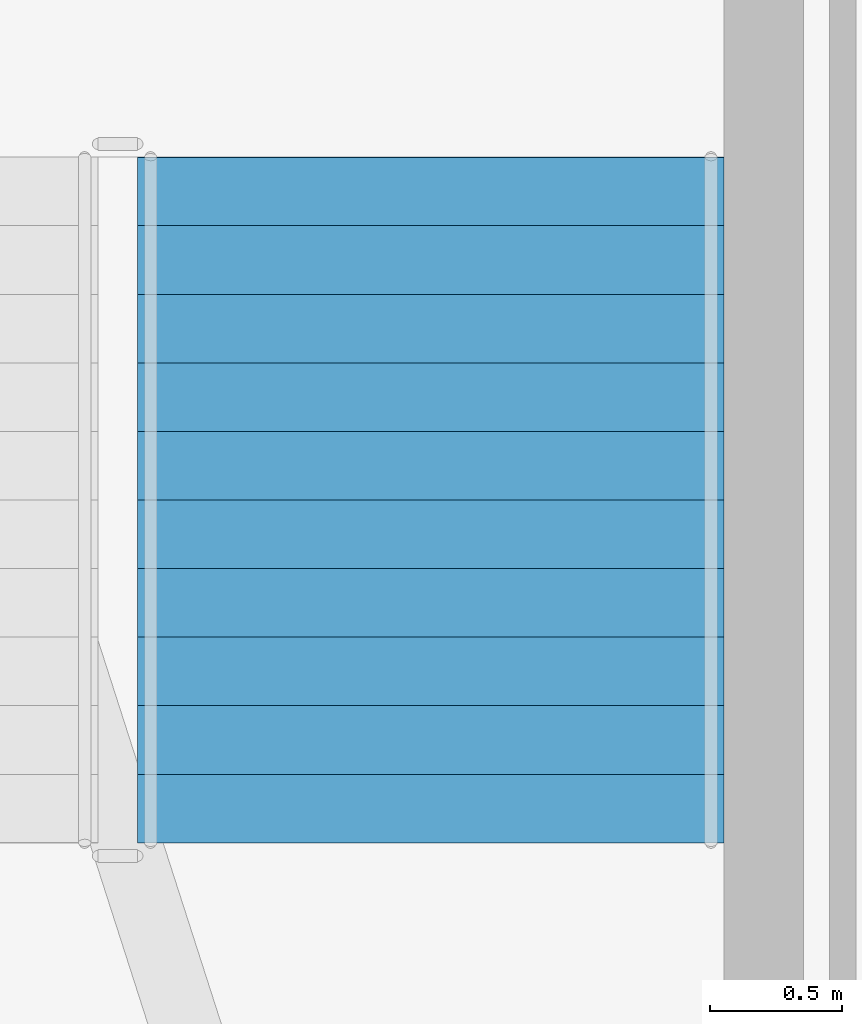
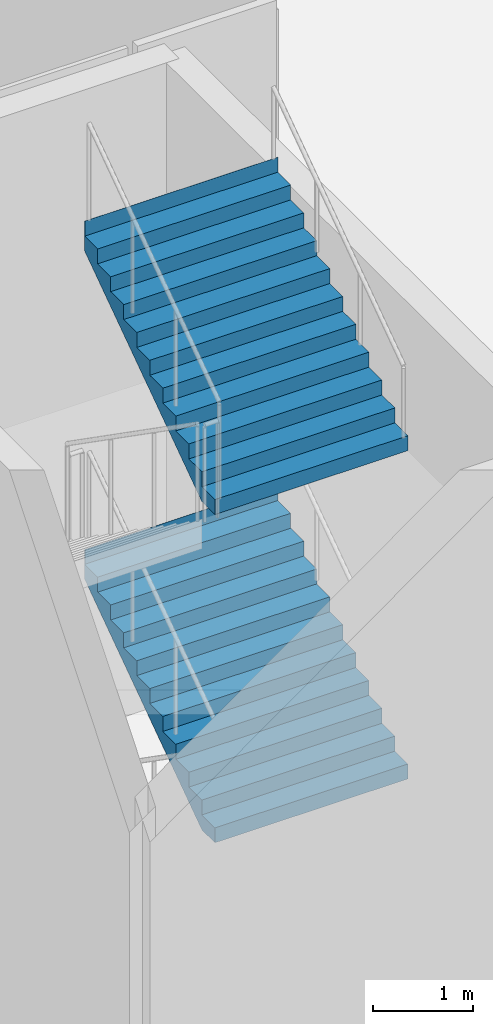
# One storey, part 24 of 36: 2 stair flights, 1 element without a shape of its own.
"""IFC4 building model written with IfcOpenShell, lengths in metres."""

from ifc_helpers import new_model, si_unit, direction, frame, origin, place, context, subcontext, project, spatial, triangles, material, type_object, element, aggregate, save


model = new_model("IFC4")

# Units and contexts
model_context = context("Model", 3, precision=1e-05, world=origin(), true_north=direction((0.0, 1.0)))
body_context = subcontext(model_context, "Body", "Model", "MODEL_VIEW")
ifc_project = project(units=[si_unit("LENGTHUNIT", "METRE"), si_unit("AREAUNIT", "SQUARE_METRE"), si_unit("VOLUMEUNIT", "CUBIC_METRE"), si_unit("PLANEANGLEUNIT", "RADIAN"), si_unit("MASSUNIT", "GRAM", prefix="KILO")], contexts=[model_context])

# Site, building, storey
site_placement = place(None, origin())
site = spatial("IfcSite", under=ifc_project, at=site_placement, CompositionType="ELEMENT")
building_placement = place(site_placement, origin())
building = spatial("IfcBuilding", under=site, at=building_placement, Name="Sahrelin Media Tower", CompositionType="ELEMENT")
storey_placement = place(building_placement, origin())
storey = spatial("IfcBuildingStorey", under=building, at=storey_placement, Name="L00", CompositionType="ELEMENT", Elevation=0.0)

# Stair, stair flights
ifc_material = material(Name="Concrete C40/50", Category="concrete")
stair_type = type_object("IfcStairType", Name="Podium stair 2225", PredefinedType="HALF_TURN_STAIR", material=ifc_material)
stair_placement = place(storey_placement, origin())
stair = element("IfcStair", 1, at=stair_placement, inside=storey, type_object=stair_type, Name="L00 Podium stair PS4", PredefinedType="HALF_TURN_STAIR")
stair_flight_type = type_object("IfcStairFlightType", Name="Stair flight 2225", PredefinedType="STRAIGHT", material=ifc_material)
stair_flight_1_placement = place(storey_placement, frame((11.83740234375, -33.22509765625, 2.0), z_axis=(0.0, 0.0, 1.0), x_axis=(0.0, 1.0, 0.0)))
stair_flight_1 = element("IfcStairFlight", 2, at=stair_flight_1_placement, type_object=stair_flight_type, Name="PS4 flight 2", NumberOfRisers=11, NumberOfTreads=10, PredefinedType="STRAIGHT", RiserHeight=0.181818182, TreadLength=0.26, context=body_context, shape_type="Tessellation", body=[
    triangles([(0.261474609375, 1.112548828125, 0.0), (0.261474609375, 0.794677734375, 0.0), (0.261474609375, 0.476806640625, 0.0), (0.261474609375, 0.158935546875, 0.0), (0.261474609375, -0.158935546875, 0.0), (0.261474609375, -0.476806640625, 0.0), (0.261474609375, -0.794677734375, 0.0), (0.261474609375, -1.112548828125, 0.0), (2.60009765625, 1.112548828125, 1.63525390625), (2.60009765625, 0.794677734375, 1.63525390625), (2.60009765625, 0.476806640625, 1.63525390625), (2.60009765625, 0.158935546875, 1.63525390625), (2.60009765625, -0.158935546875, 1.63525390625), (2.60009765625, -0.476806640625, 1.63525390625), (2.60009765625, -0.794677734375, 1.63525390625), (2.60009765625, -1.112548828125, 1.63525390625), (2.60009765625, 1.112548828125, 2.0), (2.60009765625, 0.794677734375, 2.0), (2.60009765625, 0.476806640625, 2.0), (2.60009765625, 0.158935546875, 2.0), (2.60009765625, -0.158935546875, 2.0), (2.60009765625, -0.476806640625, 2.0), (2.60009765625, -0.794677734375, 2.0), (2.60009765625, -1.112548828125, 2.0), (2.597900390625, 1.112548828125, 2.0), (2.597900390625, 0.794677734375, 2.0), (2.597900390625, 0.476806640625, 2.0), (2.597900390625, 0.158935546875, 2.0), (2.597900390625, -0.158935546875, 2.0), (2.597900390625, -0.476806640625, 2.0), (2.597900390625, -0.794677734375, 2.0), (2.597900390625, -1.112548828125, 2.0), (2.597900390625, 1.112548828125, 1.818115234375), (2.597900390625, 0.794677734375, 1.818115234375), (2.597900390625, 0.476806640625, 1.818115234375), (2.597900390625, 0.158935546875, 1.818115234375), (2.597900390625, -0.158935546875, 1.818115234375), (2.597900390625, -0.476806640625, 1.818115234375), (2.597900390625, -0.794677734375, 1.818115234375), (2.597900390625, -1.112548828125, 1.818115234375), (2.340087890625, 1.112548828125, 1.818115234375), (2.340087890625, 0.794677734375, 1.818115234375), (2.340087890625, 0.476806640625, 1.818115234375), (2.340087890625, 0.158935546875, 1.818115234375), (2.340087890625, -0.158935546875, 1.818115234375), (2.340087890625, -0.476806640625, 1.818115234375), (2.340087890625, -0.794677734375, 1.818115234375), (2.340087890625, -1.112548828125, 1.818115234375), (2.340087890625, 1.112548828125, 1.636474609375), (2.340087890625, 0.794677734375, 1.636474609375), (2.340087890625, 0.476806640625, 1.636474609375), (2.340087890625, 0.158935546875, 1.636474609375), (2.340087890625, -0.158935546875, 1.636474609375), (2.340087890625, -0.476806640625, 1.636474609375), (2.340087890625, -0.794677734375, 1.636474609375), (2.340087890625, -1.112548828125, 1.636474609375), (2.080078125, 1.112548828125, 1.636474609375), (2.080078125, 0.794677734375, 1.636474609375), (2.080078125, 0.476806640625, 1.636474609375), (2.080078125, 0.158935546875, 1.636474609375), (2.080078125, -0.158935546875, 1.636474609375), (2.080078125, -0.476806640625, 1.636474609375), (2.080078125, -0.794677734375, 1.636474609375), (2.080078125, -1.112548828125, 1.636474609375), (2.080078125, 1.112548828125, 1.45458984375), (2.080078125, 0.794677734375, 1.45458984375), (2.080078125, 0.476806640625, 1.45458984375), (2.080078125, 0.158935546875, 1.45458984375), (2.080078125, -0.158935546875, 1.45458984375), (2.080078125, -0.476806640625, 1.45458984375), (2.080078125, -0.794677734375, 1.45458984375), (2.080078125, -1.112548828125, 1.45458984375), (1.820068359375, 1.112548828125, 1.45458984375), (1.820068359375, 0.794677734375, 1.45458984375), (1.820068359375, 0.476806640625, 1.45458984375), (1.820068359375, 0.158935546875, 1.45458984375), (1.820068359375, -0.158935546875, 1.45458984375), (1.820068359375, -0.476806640625, 1.45458984375), (1.820068359375, -0.794677734375, 1.45458984375), (1.820068359375, -1.112548828125, 1.45458984375), (1.820068359375, 1.112548828125, 1.272705078125), (1.820068359375, 0.794677734375, 1.272705078125), (1.820068359375, 0.476806640625, 1.272705078125), (1.820068359375, 0.158935546875, 1.272705078125), (1.820068359375, -0.158935546875, 1.272705078125), (1.820068359375, -0.476806640625, 1.272705078125), (1.820068359375, -0.794677734375, 1.272705078125), (1.820068359375, -1.112548828125, 1.272705078125), (1.56005859375, 1.112548828125, 1.272705078125), (1.56005859375, 0.794677734375, 1.272705078125), (1.56005859375, 0.476806640625, 1.272705078125), (1.56005859375, 0.158935546875, 1.272705078125), (1.56005859375, -0.158935546875, 1.272705078125), (1.56005859375, -0.476806640625, 1.272705078125), (1.56005859375, -0.794677734375, 1.272705078125), (1.56005859375, -1.112548828125, 1.272705078125), (1.56005859375, 1.112548828125, 1.0908203125), (1.56005859375, 0.794677734375, 1.0908203125), (1.56005859375, 0.476806640625, 1.0908203125), (1.56005859375, 0.158935546875, 1.0908203125), (1.56005859375, -0.158935546875, 1.0908203125), (1.56005859375, -0.476806640625, 1.0908203125), (1.56005859375, -0.794677734375, 1.0908203125), (1.56005859375, -1.112548828125, 1.0908203125), (1.300048828125, 1.112548828125, 1.0908203125), (1.300048828125, 0.794677734375, 1.0908203125), (1.300048828125, 0.476806640625, 1.0908203125), (1.300048828125, 0.158935546875, 1.0908203125), (1.300048828125, -0.158935546875, 1.0908203125), (1.300048828125, -0.476806640625, 1.0908203125), (1.300048828125, -0.794677734375, 1.0908203125), (1.300048828125, -1.112548828125, 1.0908203125), (1.300048828125, 1.112548828125, 0.9091796875), (1.300048828125, 0.794677734375, 0.9091796875), (1.300048828125, 0.476806640625, 0.9091796875), (1.300048828125, 0.158935546875, 0.9091796875), (1.300048828125, -0.158935546875, 0.9091796875), (1.300048828125, -0.476806640625, 0.9091796875), (1.300048828125, -0.794677734375, 0.9091796875), (1.300048828125, -1.112548828125, 0.9091796875), (1.0400390625, 1.112548828125, 0.9091796875), (1.0400390625, 0.794677734375, 0.9091796875), (1.0400390625, 0.476806640625, 0.9091796875), (1.0400390625, 0.158935546875, 0.9091796875), (1.0400390625, -0.158935546875, 0.9091796875), (1.0400390625, -0.476806640625, 0.9091796875), (1.0400390625, -0.794677734375, 0.9091796875), (1.0400390625, -1.112548828125, 0.9091796875), (1.0400390625, 1.112548828125, 0.727294921875), (1.0400390625, 0.794677734375, 0.727294921875), (1.0400390625, 0.476806640625, 0.727294921875), (1.0400390625, 0.158935546875, 0.727294921875), (1.0400390625, -0.158935546875, 0.727294921875), (1.0400390625, -0.476806640625, 0.727294921875), (1.0400390625, -0.794677734375, 0.727294921875), (1.0400390625, -1.112548828125, 0.727294921875), (0.780029296875, 1.112548828125, 0.727294921875), (0.780029296875, 0.794677734375, 0.727294921875), (0.780029296875, 0.476806640625, 0.727294921875), (0.780029296875, 0.158935546875, 0.727294921875), (0.780029296875, -0.158935546875, 0.727294921875), (0.780029296875, -0.476806640625, 0.727294921875), (0.780029296875, -0.794677734375, 0.727294921875), (0.780029296875, -1.112548828125, 0.727294921875), (0.780029296875, 1.112548828125, 0.54541015625), (0.780029296875, 0.794677734375, 0.54541015625), (0.780029296875, 0.476806640625, 0.54541015625), (0.780029296875, 0.158935546875, 0.54541015625), (0.780029296875, -0.158935546875, 0.54541015625), (0.780029296875, -0.476806640625, 0.54541015625), (0.780029296875, -0.794677734375, 0.54541015625), (0.780029296875, -1.112548828125, 0.54541015625), (0.52001953125, 1.112548828125, 0.54541015625), (0.52001953125, 0.794677734375, 0.54541015625), (0.52001953125, 0.476806640625, 0.54541015625), (0.52001953125, 0.158935546875, 0.54541015625), (0.52001953125, -0.158935546875, 0.54541015625), (0.52001953125, -0.476806640625, 0.54541015625), (0.52001953125, -0.794677734375, 0.54541015625), (0.52001953125, -1.112548828125, 0.54541015625), (0.52001953125, 1.112548828125, 0.363525390625), (0.52001953125, 0.794677734375, 0.363525390625), (0.52001953125, 0.476806640625, 0.363525390625), (0.52001953125, 0.158935546875, 0.363525390625), (0.52001953125, -0.158935546875, 0.363525390625), (0.52001953125, -0.476806640625, 0.363525390625), (0.52001953125, -0.794677734375, 0.363525390625), (0.52001953125, -1.112548828125, 0.363525390625), (0.260009765625, 1.112548828125, 0.363525390625), (0.260009765625, 0.794677734375, 0.363525390625), (0.260009765625, 0.476806640625, 0.363525390625), (0.260009765625, 0.158935546875, 0.363525390625), (0.260009765625, -0.158935546875, 0.363525390625), (0.260009765625, -0.476806640625, 0.363525390625), (0.260009765625, -0.794677734375, 0.363525390625), (0.260009765625, -1.112548828125, 0.363525390625), (0.260009765625, 1.112548828125, 0.181884765625), (0.260009765625, 0.794677734375, 0.181884765625), (0.260009765625, 0.476806640625, 0.181884765625), (0.260009765625, 0.158935546875, 0.181884765625), (0.260009765625, -0.158935546875, 0.181884765625), (0.260009765625, -0.476806640625, 0.181884765625), (0.260009765625, -0.794677734375, 0.181884765625), (0.260009765625, -1.112548828125, 0.181884765625), (0.0, 1.112548828125, 0.181884765625), (0.0, 0.794677734375, 0.181884765625), (0.0, 0.476806640625, 0.181884765625), (0.0, 0.158935546875, 0.181884765625), (0.0, -0.158935546875, 0.181884765625), (0.0, -0.476806640625, 0.181884765625), (0.0, -0.794677734375, 0.181884765625), (0.0, -1.112548828125, 0.181884765625), (0.0, 1.112548828125, 0.0), (0.0, 0.794677734375, 0.0), (0.0, 0.476806640625, 0.0), (0.0, 0.158935546875, 0.0), (0.0, -0.158935546875, 0.0), (0.0, -0.476806640625, 0.0), (0.0, -0.794677734375, 0.0), (0.0, -1.112548828125, 0.0)], [[1, 9, 10], [1, 10, 2], [2, 10, 11], [2, 11, 3], [3, 11, 12], [3, 12, 4], [4, 12, 13], [4, 13, 5], [5, 13, 14], [5, 14, 6], [6, 14, 15], [6, 15, 7], [7, 15, 16], [7, 16, 8], [9, 17, 18], [9, 18, 10], [10, 18, 19], [10, 19, 11], [11, 19, 20], [11, 20, 12], [12, 20, 21], [12, 21, 13], [13, 21, 22], [13, 22, 14], [14, 22, 23], [14, 23, 15], [15, 23, 24], [15, 24, 16], [17, 25, 26], [17, 26, 18], [18, 26, 27], [18, 27, 19], [19, 27, 28], [19, 28, 20], [20, 28, 29], [20, 29, 21], [21, 29, 30], [21, 30, 22], [22, 30, 31], [22, 31, 23], [23, 31, 32], [23, 32, 24], [25, 33, 34], [25, 34, 26], [26, 34, 35], [26, 35, 27], [27, 35, 36], [27, 36, 28], [28, 36, 37], [28, 37, 29], [29, 37, 38], [29, 38, 30], [30, 38, 39], [30, 39, 31], [31, 39, 40], [31, 40, 32], [33, 41, 42], [33, 42, 34], [34, 42, 43], [34, 43, 35], [35, 43, 44], [35, 44, 36], [36, 44, 45], [36, 45, 37], [37, 45, 46], [37, 46, 38], [38, 46, 47], [38, 47, 39], [39, 47, 48], [39, 48, 40], [41, 49, 50], [41, 50, 42], [42, 50, 51], [42, 51, 43], [43, 51, 52], [43, 52, 44], [44, 52, 53], [44, 53, 45], [45, 53, 54], [45, 54, 46], [46, 54, 55], [46, 55, 47], [47, 55, 56], [47, 56, 48], [49, 57, 58], [49, 58, 50], [50, 58, 59], [50, 59, 51], [51, 59, 60], [51, 60, 52], [52, 60, 61], [52, 61, 53], [53, 61, 62], [53, 62, 54], [54, 62, 63], [54, 63, 55], [55, 63, 64], [55, 64, 56], [57, 65, 66], [57, 66, 58], [58, 66, 67], [58, 67, 59], [59, 67, 68], [59, 68, 60], [60, 68, 69], [60, 69, 61], [61, 69, 70], [61, 70, 62], [62, 70, 71], [62, 71, 63], [63, 71, 72], [63, 72, 64], [65, 73, 74], [65, 74, 66], [66, 74, 75], [66, 75, 67], [67, 75, 76], [67, 76, 68], [68, 76, 77], [68, 77, 69], [69, 77, 78], [69, 78, 70], [70, 78, 79], [70, 79, 71], [71, 79, 80], [71, 80, 72], [73, 81, 82], [73, 82, 74], [74, 82, 83], [74, 83, 75], [75, 83, 84], [75, 84, 76], [76, 84, 85], [76, 85, 77], [77, 85, 86], [77, 86, 78], [78, 86, 87], [78, 87, 79], [79, 87, 88], [79, 88, 80], [81, 89, 90], [81, 90, 82], [82, 90, 91], [82, 91, 83], [83, 91, 92], [83, 92, 84], [84, 92, 93], [84, 93, 85], [85, 93, 94], [85, 94, 86], [86, 94, 95], [86, 95, 87], [87, 95, 96], [87, 96, 88], [89, 97, 98], [89, 98, 90], [90, 98, 99], [90, 99, 91], [91, 99, 100], [91, 100, 92], [92, 100, 101], [92, 101, 93], [93, 101, 102], [93, 102, 94], [94, 102, 103], [94, 103, 95], [95, 103, 104], [95, 104, 96], [97, 105, 106], [97, 106, 98], [98, 106, 107], [98, 107, 99], [99, 107, 108], [99, 108, 100], [100, 108, 109], [100, 109, 101], [101, 109, 110], [101, 110, 102], [102, 110, 111], [102, 111, 103], [103, 111, 112], [103, 112, 104], [105, 113, 114], [105, 114, 106], [106, 114, 115], [106, 115, 107], [107, 115, 116], [107, 116, 108], [108, 116, 117], [108, 117, 109], [109, 117, 118], [109, 118, 110], [110, 118, 119], [110, 119, 111], [111, 119, 120], [111, 120, 112], [113, 121, 122], [113, 122, 114], [114, 122, 123], [114, 123, 115], [115, 123, 124], [115, 124, 116], [116, 124, 125], [116, 125, 117], [117, 125, 126], [117, 126, 118], [118, 126, 127], [118, 127, 119], [119, 127, 128], [119, 128, 120], [121, 129, 130], [121, 130, 122], [122, 130, 131], [122, 131, 123], [123, 131, 132], [123, 132, 124], [124, 132, 133], [124, 133, 125], [125, 133, 134], [125, 134, 126], [126, 134, 135], [126, 135, 127], [127, 135, 136], [127, 136, 128], [129, 137, 138], [129, 138, 130], [130, 138, 139], [130, 139, 131], [131, 139, 140], [131, 140, 132], [132, 140, 141], [132, 141, 133], [133, 141, 142], [133, 142, 134], [134, 142, 143], [134, 143, 135], [135, 143, 144], [135, 144, 136], [137, 145, 146], [137, 146, 138], [138, 146, 147], [138, 147, 139], [139, 147, 148], [139, 148, 140], [140, 148, 149], [140, 149, 141], [141, 149, 150], [141, 150, 142], [142, 150, 151], [142, 151, 143], [143, 151, 152], [143, 152, 144], [145, 153, 154], [145, 154, 146], [146, 154, 155], [146, 155, 147], [147, 155, 156], [147, 156, 148], [148, 156, 157], [148, 157, 149], [149, 157, 158], [149, 158, 150], [150, 158, 159], [150, 159, 151], [151, 159, 160], [151, 160, 152], [153, 161, 162], [153, 162, 154], [154, 162, 163], [154, 163, 155], [155, 163, 164], [155, 164, 156], [156, 164, 165], [156, 165, 157], [157, 165, 166], [157, 166, 158], [158, 166, 167], [158, 167, 159], [159, 167, 168], [159, 168, 160], [161, 169, 170], [161, 170, 162], [162, 170, 171], [162, 171, 163], [163, 171, 172], [163, 172, 164], [164, 172, 173], [164, 173, 165], [165, 173, 174], [165, 174, 166], [166, 174, 175], [166, 175, 167], [167, 175, 176], [167, 176, 168], [169, 177, 178], [169, 178, 170], [170, 178, 179], [170, 179, 171], [171, 179, 180], [171, 180, 172], [172, 180, 181], [172, 181, 173], [173, 181, 182], [173, 182, 174], [174, 182, 183], [174, 183, 175], [175, 183, 184], [175, 184, 176], [177, 185, 186], [177, 186, 178], [178, 186, 187], [178, 187, 179], [179, 187, 188], [179, 188, 180], [180, 188, 189], [180, 189, 181], [181, 189, 190], [181, 190, 182], [182, 190, 191], [182, 191, 183], [183, 191, 192], [183, 192, 184], [185, 193, 194], [185, 194, 186], [186, 194, 195], [186, 195, 187], [187, 195, 196], [187, 196, 188], [188, 196, 197], [188, 197, 189], [189, 197, 198], [189, 198, 190], [190, 198, 199], [190, 199, 191], [191, 199, 200], [191, 200, 192], [193, 1, 2], [193, 2, 194], [194, 2, 3], [194, 3, 195], [195, 3, 4], [195, 4, 196], [196, 4, 5], [196, 5, 197], [197, 5, 6], [197, 6, 198], [198, 6, 7], [198, 7, 199], [199, 7, 8], [199, 8, 200], [184, 192, 200], [177, 193, 185], [184, 168, 176], [177, 169, 161], [168, 152, 160], [161, 153, 145], [152, 136, 144], [145, 137, 129], [136, 120, 128], [129, 121, 113], [120, 104, 112], [113, 105, 97], [104, 88, 96], [97, 89, 81], [88, 72, 80], [81, 73, 65], [72, 56, 64], [65, 57, 49], [56, 40, 48], [49, 41, 33], [40, 24, 32], [33, 25, 17], [200, 8, 184], [193, 177, 1], [40, 16, 24], [33, 17, 9], [168, 184, 8], [161, 1, 177], [56, 16, 40], [49, 33, 9], [152, 168, 8], [145, 1, 161], [72, 16, 56], [65, 49, 9], [136, 152, 8], [129, 1, 145], [88, 16, 72], [81, 65, 9], [120, 136, 8], [113, 1, 129], [104, 16, 88], [97, 81, 9], [8, 16, 120], [1, 113, 9], [120, 16, 104], [113, 97, 9]], closed=True),
])
stair_flight_2_placement = place(storey_placement, frame((11.83740234375, -33.22509765625, 6.0), z_axis=(0.0, 0.0, 1.0), x_axis=(0.0, 1.0, 0.0)))
stair_flight_2 = element("IfcStairFlight", 3, at=stair_flight_2_placement, type_object=stair_flight_type, Name="PS4 flight 4", NumberOfRisers=11, NumberOfTreads=10, PredefinedType="STRAIGHT", RiserHeight=0.181818182, TreadLength=0.26, context=body_context, shape_type="Tessellation", body=[
    triangles([(0.261474609375, 1.112548828125, 0.0), (0.261474609375, 0.794677734375, 0.0), (0.261474609375, 0.476806640625, 0.0), (0.261474609375, 0.158935546875, 0.0), (0.261474609375, -0.158935546875, 0.0), (0.261474609375, -0.476806640625, 0.0), (0.261474609375, -0.794677734375, 0.0), (0.261474609375, -1.112548828125, 0.0), (2.60009765625, 1.112548828125, 1.63525390625), (2.60009765625, 0.794677734375, 1.63525390625), (2.60009765625, 0.476806640625, 1.63525390625), (2.60009765625, 0.158935546875, 1.63525390625), (2.60009765625, -0.158935546875, 1.63525390625), (2.60009765625, -0.476806640625, 1.63525390625), (2.60009765625, -0.794677734375, 1.63525390625), (2.60009765625, -1.112548828125, 1.63525390625), (2.60009765625, 1.112548828125, 2.0), (2.60009765625, 0.794677734375, 2.0), (2.60009765625, 0.476806640625, 2.0), (2.60009765625, 0.158935546875, 2.0), (2.60009765625, -0.158935546875, 2.0), (2.60009765625, -0.476806640625, 2.0), (2.60009765625, -0.794677734375, 2.0), (2.60009765625, -1.112548828125, 2.0), (2.597900390625, 1.112548828125, 2.0), (2.597900390625, 0.794677734375, 2.0), (2.597900390625, 0.476806640625, 2.0), (2.597900390625, 0.158935546875, 2.0), (2.597900390625, -0.158935546875, 2.0), (2.597900390625, -0.476806640625, 2.0), (2.597900390625, -0.794677734375, 2.0), (2.597900390625, -1.112548828125, 2.0), (2.597900390625, 1.112548828125, 1.818115234375), (2.597900390625, 0.794677734375, 1.818115234375), (2.597900390625, 0.476806640625, 1.818115234375), (2.597900390625, 0.158935546875, 1.818115234375), (2.597900390625, -0.158935546875, 1.818115234375), (2.597900390625, -0.476806640625, 1.818115234375), (2.597900390625, -0.794677734375, 1.818115234375), (2.597900390625, -1.112548828125, 1.818115234375), (2.340087890625, 1.112548828125, 1.818115234375), (2.340087890625, 0.794677734375, 1.818115234375), (2.340087890625, 0.476806640625, 1.818115234375), (2.340087890625, 0.158935546875, 1.818115234375), (2.340087890625, -0.158935546875, 1.818115234375), (2.340087890625, -0.476806640625, 1.818115234375), (2.340087890625, -0.794677734375, 1.818115234375), (2.340087890625, -1.112548828125, 1.818115234375), (2.340087890625, 1.112548828125, 1.636474609375), (2.340087890625, 0.794677734375, 1.636474609375), (2.340087890625, 0.476806640625, 1.636474609375), (2.340087890625, 0.158935546875, 1.636474609375), (2.340087890625, -0.158935546875, 1.636474609375), (2.340087890625, -0.476806640625, 1.636474609375), (2.340087890625, -0.794677734375, 1.636474609375), (2.340087890625, -1.112548828125, 1.636474609375), (2.080078125, 1.112548828125, 1.636474609375), (2.080078125, 0.794677734375, 1.636474609375), (2.080078125, 0.476806640625, 1.636474609375), (2.080078125, 0.158935546875, 1.636474609375), (2.080078125, -0.158935546875, 1.636474609375), (2.080078125, -0.476806640625, 1.636474609375), (2.080078125, -0.794677734375, 1.636474609375), (2.080078125, -1.112548828125, 1.636474609375), (2.080078125, 1.112548828125, 1.45458984375), (2.080078125, 0.794677734375, 1.45458984375), (2.080078125, 0.476806640625, 1.45458984375), (2.080078125, 0.158935546875, 1.45458984375), (2.080078125, -0.158935546875, 1.45458984375), (2.080078125, -0.476806640625, 1.45458984375), (2.080078125, -0.794677734375, 1.45458984375), (2.080078125, -1.112548828125, 1.45458984375), (1.820068359375, 1.112548828125, 1.45458984375), (1.820068359375, 0.794677734375, 1.45458984375), (1.820068359375, 0.476806640625, 1.45458984375), (1.820068359375, 0.158935546875, 1.45458984375), (1.820068359375, -0.158935546875, 1.45458984375), (1.820068359375, -0.476806640625, 1.45458984375), (1.820068359375, -0.794677734375, 1.45458984375), (1.820068359375, -1.112548828125, 1.45458984375), (1.820068359375, 1.112548828125, 1.272705078125), (1.820068359375, 0.794677734375, 1.272705078125), (1.820068359375, 0.476806640625, 1.272705078125), (1.820068359375, 0.158935546875, 1.272705078125), (1.820068359375, -0.158935546875, 1.272705078125), (1.820068359375, -0.476806640625, 1.272705078125), (1.820068359375, -0.794677734375, 1.272705078125), (1.820068359375, -1.112548828125, 1.272705078125), (1.56005859375, 1.112548828125, 1.272705078125), (1.56005859375, 0.794677734375, 1.272705078125), (1.56005859375, 0.476806640625, 1.272705078125), (1.56005859375, 0.158935546875, 1.272705078125), (1.56005859375, -0.158935546875, 1.272705078125), (1.56005859375, -0.476806640625, 1.272705078125), (1.56005859375, -0.794677734375, 1.272705078125), (1.56005859375, -1.112548828125, 1.272705078125), (1.56005859375, 1.112548828125, 1.0908203125), (1.56005859375, 0.794677734375, 1.0908203125), (1.56005859375, 0.476806640625, 1.0908203125), (1.56005859375, 0.158935546875, 1.0908203125), (1.56005859375, -0.158935546875, 1.0908203125), (1.56005859375, -0.476806640625, 1.0908203125), (1.56005859375, -0.794677734375, 1.0908203125), (1.56005859375, -1.112548828125, 1.0908203125), (1.300048828125, 1.112548828125, 1.0908203125), (1.300048828125, 0.794677734375, 1.0908203125), (1.300048828125, 0.476806640625, 1.0908203125), (1.300048828125, 0.158935546875, 1.0908203125), (1.300048828125, -0.158935546875, 1.0908203125), (1.300048828125, -0.476806640625, 1.0908203125), (1.300048828125, -0.794677734375, 1.0908203125), (1.300048828125, -1.112548828125, 1.0908203125), (1.300048828125, 1.112548828125, 0.9091796875), (1.300048828125, 0.794677734375, 0.9091796875), (1.300048828125, 0.476806640625, 0.9091796875), (1.300048828125, 0.158935546875, 0.9091796875), (1.300048828125, -0.158935546875, 0.9091796875), (1.300048828125, -0.476806640625, 0.9091796875), (1.300048828125, -0.794677734375, 0.9091796875), (1.300048828125, -1.112548828125, 0.9091796875), (1.0400390625, 1.112548828125, 0.9091796875), (1.0400390625, 0.794677734375, 0.9091796875), (1.0400390625, 0.476806640625, 0.9091796875), (1.0400390625, 0.158935546875, 0.9091796875), (1.0400390625, -0.158935546875, 0.9091796875), (1.0400390625, -0.476806640625, 0.9091796875), (1.0400390625, -0.794677734375, 0.9091796875), (1.0400390625, -1.112548828125, 0.9091796875), (1.0400390625, 1.112548828125, 0.727294921875), (1.0400390625, 0.794677734375, 0.727294921875), (1.0400390625, 0.476806640625, 0.727294921875), (1.0400390625, 0.158935546875, 0.727294921875), (1.0400390625, -0.158935546875, 0.727294921875), (1.0400390625, -0.476806640625, 0.727294921875), (1.0400390625, -0.794677734375, 0.727294921875), (1.0400390625, -1.112548828125, 0.727294921875), (0.780029296875, 1.112548828125, 0.727294921875), (0.780029296875, 0.794677734375, 0.727294921875), (0.780029296875, 0.476806640625, 0.727294921875), (0.780029296875, 0.158935546875, 0.727294921875), (0.780029296875, -0.158935546875, 0.727294921875), (0.780029296875, -0.476806640625, 0.727294921875), (0.780029296875, -0.794677734375, 0.727294921875), (0.780029296875, -1.112548828125, 0.727294921875), (0.780029296875, 1.112548828125, 0.54541015625), (0.780029296875, 0.794677734375, 0.54541015625), (0.780029296875, 0.476806640625, 0.54541015625), (0.780029296875, 0.158935546875, 0.54541015625), (0.780029296875, -0.158935546875, 0.54541015625), (0.780029296875, -0.476806640625, 0.54541015625), (0.780029296875, -0.794677734375, 0.54541015625), (0.780029296875, -1.112548828125, 0.54541015625), (0.52001953125, 1.112548828125, 0.54541015625), (0.52001953125, 0.794677734375, 0.54541015625), (0.52001953125, 0.476806640625, 0.54541015625), (0.52001953125, 0.158935546875, 0.54541015625), (0.52001953125, -0.158935546875, 0.54541015625), (0.52001953125, -0.476806640625, 0.54541015625), (0.52001953125, -0.794677734375, 0.54541015625), (0.52001953125, -1.112548828125, 0.54541015625), (0.52001953125, 1.112548828125, 0.363525390625), (0.52001953125, 0.794677734375, 0.363525390625), (0.52001953125, 0.476806640625, 0.363525390625), (0.52001953125, 0.158935546875, 0.363525390625), (0.52001953125, -0.158935546875, 0.363525390625), (0.52001953125, -0.476806640625, 0.363525390625), (0.52001953125, -0.794677734375, 0.363525390625), (0.52001953125, -1.112548828125, 0.363525390625), (0.260009765625, 1.112548828125, 0.363525390625), (0.260009765625, 0.794677734375, 0.363525390625), (0.260009765625, 0.476806640625, 0.363525390625), (0.260009765625, 0.158935546875, 0.363525390625), (0.260009765625, -0.158935546875, 0.363525390625), (0.260009765625, -0.476806640625, 0.363525390625), (0.260009765625, -0.794677734375, 0.363525390625), (0.260009765625, -1.112548828125, 0.363525390625), (0.260009765625, 1.112548828125, 0.181884765625), (0.260009765625, 0.794677734375, 0.181884765625), (0.260009765625, 0.476806640625, 0.181884765625), (0.260009765625, 0.158935546875, 0.181884765625), (0.260009765625, -0.158935546875, 0.181884765625), (0.260009765625, -0.476806640625, 0.181884765625), (0.260009765625, -0.794677734375, 0.181884765625), (0.260009765625, -1.112548828125, 0.181884765625), (0.0, 1.112548828125, 0.181884765625), (0.0, 0.794677734375, 0.181884765625), (0.0, 0.476806640625, 0.181884765625), (0.0, 0.158935546875, 0.181884765625), (0.0, -0.158935546875, 0.181884765625), (0.0, -0.476806640625, 0.181884765625), (0.0, -0.794677734375, 0.181884765625), (0.0, -1.112548828125, 0.181884765625), (0.0, 1.112548828125, 0.0), (0.0, 0.794677734375, 0.0), (0.0, 0.476806640625, 0.0), (0.0, 0.158935546875, 0.0), (0.0, -0.158935546875, 0.0), (0.0, -0.476806640625, 0.0), (0.0, -0.794677734375, 0.0), (0.0, -1.112548828125, 0.0)], [[1, 9, 10], [1, 10, 2], [2, 10, 11], [2, 11, 3], [3, 11, 12], [3, 12, 4], [4, 12, 13], [4, 13, 5], [5, 13, 14], [5, 14, 6], [6, 14, 15], [6, 15, 7], [7, 15, 16], [7, 16, 8], [9, 17, 18], [9, 18, 10], [10, 18, 19], [10, 19, 11], [11, 19, 20], [11, 20, 12], [12, 20, 21], [12, 21, 13], [13, 21, 22], [13, 22, 14], [14, 22, 23], [14, 23, 15], [15, 23, 24], [15, 24, 16], [17, 25, 26], [17, 26, 18], [18, 26, 27], [18, 27, 19], [19, 27, 28], [19, 28, 20], [20, 28, 29], [20, 29, 21], [21, 29, 30], [21, 30, 22], [22, 30, 31], [22, 31, 23], [23, 31, 32], [23, 32, 24], [25, 33, 34], [25, 34, 26], [26, 34, 35], [26, 35, 27], [27, 35, 36], [27, 36, 28], [28, 36, 37], [28, 37, 29], [29, 37, 38], [29, 38, 30], [30, 38, 39], [30, 39, 31], [31, 39, 40], [31, 40, 32], [33, 41, 42], [33, 42, 34], [34, 42, 43], [34, 43, 35], [35, 43, 44], [35, 44, 36], [36, 44, 45], [36, 45, 37], [37, 45, 46], [37, 46, 38], [38, 46, 47], [38, 47, 39], [39, 47, 48], [39, 48, 40], [41, 49, 50], [41, 50, 42], [42, 50, 51], [42, 51, 43], [43, 51, 52], [43, 52, 44], [44, 52, 53], [44, 53, 45], [45, 53, 54], [45, 54, 46], [46, 54, 55], [46, 55, 47], [47, 55, 56], [47, 56, 48], [49, 57, 58], [49, 58, 50], [50, 58, 59], [50, 59, 51], [51, 59, 60], [51, 60, 52], [52, 60, 61], [52, 61, 53], [53, 61, 62], [53, 62, 54], [54, 62, 63], [54, 63, 55], [55, 63, 64], [55, 64, 56], [57, 65, 66], [57, 66, 58], [58, 66, 67], [58, 67, 59], [59, 67, 68], [59, 68, 60], [60, 68, 69], [60, 69, 61], [61, 69, 70], [61, 70, 62], [62, 70, 71], [62, 71, 63], [63, 71, 72], [63, 72, 64], [65, 73, 74], [65, 74, 66], [66, 74, 75], [66, 75, 67], [67, 75, 76], [67, 76, 68], [68, 76, 77], [68, 77, 69], [69, 77, 78], [69, 78, 70], [70, 78, 79], [70, 79, 71], [71, 79, 80], [71, 80, 72], [73, 81, 82], [73, 82, 74], [74, 82, 83], [74, 83, 75], [75, 83, 84], [75, 84, 76], [76, 84, 85], [76, 85, 77], [77, 85, 86], [77, 86, 78], [78, 86, 87], [78, 87, 79], [79, 87, 88], [79, 88, 80], [81, 89, 90], [81, 90, 82], [82, 90, 91], [82, 91, 83], [83, 91, 92], [83, 92, 84], [84, 92, 93], [84, 93, 85], [85, 93, 94], [85, 94, 86], [86, 94, 95], [86, 95, 87], [87, 95, 96], [87, 96, 88], [89, 97, 98], [89, 98, 90], [90, 98, 99], [90, 99, 91], [91, 99, 100], [91, 100, 92], [92, 100, 101], [92, 101, 93], [93, 101, 102], [93, 102, 94], [94, 102, 103], [94, 103, 95], [95, 103, 104], [95, 104, 96], [97, 105, 106], [97, 106, 98], [98, 106, 107], [98, 107, 99], [99, 107, 108], [99, 108, 100], [100, 108, 109], [100, 109, 101], [101, 109, 110], [101, 110, 102], [102, 110, 111], [102, 111, 103], [103, 111, 112], [103, 112, 104], [105, 113, 114], [105, 114, 106], [106, 114, 115], [106, 115, 107], [107, 115, 116], [107, 116, 108], [108, 116, 117], [108, 117, 109], [109, 117, 118], [109, 118, 110], [110, 118, 119], [110, 119, 111], [111, 119, 120], [111, 120, 112], [113, 121, 122], [113, 122, 114], [114, 122, 123], [114, 123, 115], [115, 123, 124], [115, 124, 116], [116, 124, 125], [116, 125, 117], [117, 125, 126], [117, 126, 118], [118, 126, 127], [118, 127, 119], [119, 127, 128], [119, 128, 120], [121, 129, 130], [121, 130, 122], [122, 130, 131], [122, 131, 123], [123, 131, 132], [123, 132, 124], [124, 132, 133], [124, 133, 125], [125, 133, 134], [125, 134, 126], [126, 134, 135], [126, 135, 127], [127, 135, 136], [127, 136, 128], [129, 137, 138], [129, 138, 130], [130, 138, 139], [130, 139, 131], [131, 139, 140], [131, 140, 132], [132, 140, 141], [132, 141, 133], [133, 141, 142], [133, 142, 134], [134, 142, 143], [134, 143, 135], [135, 143, 144], [135, 144, 136], [137, 145, 146], [137, 146, 138], [138, 146, 147], [138, 147, 139], [139, 147, 148], [139, 148, 140], [140, 148, 149], [140, 149, 141], [141, 149, 150], [141, 150, 142], [142, 150, 151], [142, 151, 143], [143, 151, 152], [143, 152, 144], [145, 153, 154], [145, 154, 146], [146, 154, 155], [146, 155, 147], [147, 155, 156], [147, 156, 148], [148, 156, 157], [148, 157, 149], [149, 157, 158], [149, 158, 150], [150, 158, 159], [150, 159, 151], [151, 159, 160], [151, 160, 152], [153, 161, 162], [153, 162, 154], [154, 162, 163], [154, 163, 155], [155, 163, 164], [155, 164, 156], [156, 164, 165], [156, 165, 157], [157, 165, 166], [157, 166, 158], [158, 166, 167], [158, 167, 159], [159, 167, 168], [159, 168, 160], [161, 169, 170], [161, 170, 162], [162, 170, 171], [162, 171, 163], [163, 171, 172], [163, 172, 164], [164, 172, 173], [164, 173, 165], [165, 173, 174], [165, 174, 166], [166, 174, 175], [166, 175, 167], [167, 175, 176], [167, 176, 168], [169, 177, 178], [169, 178, 170], [170, 178, 179], [170, 179, 171], [171, 179, 180], [171, 180, 172], [172, 180, 181], [172, 181, 173], [173, 181, 182], [173, 182, 174], [174, 182, 183], [174, 183, 175], [175, 183, 184], [175, 184, 176], [177, 185, 186], [177, 186, 178], [178, 186, 187], [178, 187, 179], [179, 187, 188], [179, 188, 180], [180, 188, 189], [180, 189, 181], [181, 189, 190], [181, 190, 182], [182, 190, 191], [182, 191, 183], [183, 191, 192], [183, 192, 184], [185, 193, 194], [185, 194, 186], [186, 194, 195], [186, 195, 187], [187, 195, 196], [187, 196, 188], [188, 196, 197], [188, 197, 189], [189, 197, 198], [189, 198, 190], [190, 198, 199], [190, 199, 191], [191, 199, 200], [191, 200, 192], [193, 1, 2], [193, 2, 194], [194, 2, 3], [194, 3, 195], [195, 3, 4], [195, 4, 196], [196, 4, 5], [196, 5, 197], [197, 5, 6], [197, 6, 198], [198, 6, 7], [198, 7, 199], [199, 7, 8], [199, 8, 200], [184, 192, 200], [177, 193, 185], [184, 168, 176], [177, 169, 161], [168, 152, 160], [161, 153, 145], [152, 136, 144], [145, 137, 129], [136, 120, 128], [129, 121, 113], [120, 104, 112], [113, 105, 97], [104, 88, 96], [97, 89, 81], [88, 72, 80], [81, 73, 65], [72, 56, 64], [65, 57, 49], [56, 40, 48], [49, 41, 33], [40, 24, 32], [33, 25, 17], [200, 8, 184], [193, 177, 1], [40, 16, 24], [33, 17, 9], [168, 184, 8], [161, 1, 177], [56, 16, 40], [49, 33, 9], [152, 168, 8], [145, 1, 161], [72, 16, 56], [65, 49, 9], [136, 152, 8], [129, 1, 145], [88, 16, 72], [81, 65, 9], [120, 136, 8], [113, 1, 129], [104, 16, 88], [97, 81, 9], [8, 16, 120], [1, 113, 9], [120, 16, 104], [113, 97, 9]], closed=True),
])
aggregate(stair, [stair_flight_1, stair_flight_2])

save(model, "model.ifc")
